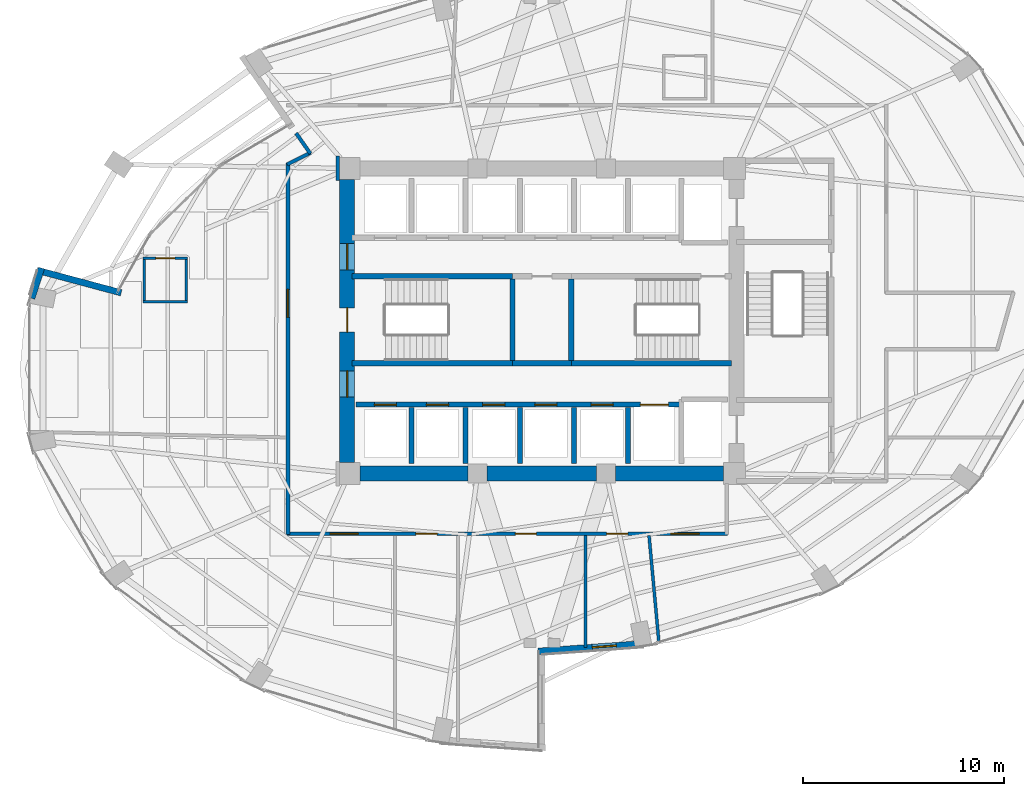
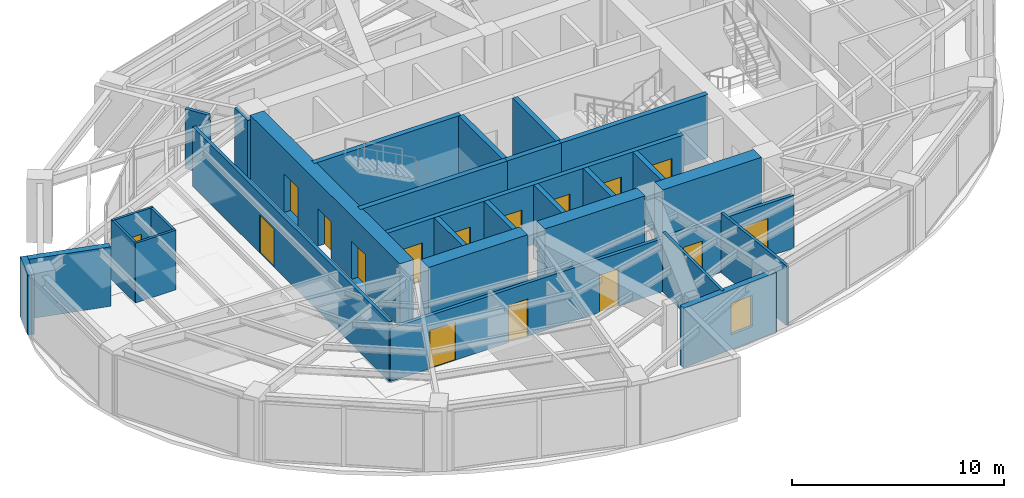
# One storey, part 20 of 24: 30 walls, 16 doors, 1 window, 17 openings.
"""IFC4 building model written with IfcOpenShell, lengths in metres."""

from ifc_helpers import new_model, si_unit, direction, frame, frame_2d, origin, place, context, subcontext, project, spatial, rectangle, extrude, material, layer, layer_set, type_object, element, fill, save


model = new_model("IFC4")

# Units and contexts
model_context = context("Model", 3, precision=1e-05, world=origin(), true_north=direction((0.0, 1.0)))
body_context = subcontext(model_context, "Body", "Model", "MODEL_VIEW")
ifc_project = project(units=[si_unit("LENGTHUNIT", "METRE"), si_unit("AREAUNIT", "SQUARE_METRE"), si_unit("VOLUMEUNIT", "CUBIC_METRE"), si_unit("PLANEANGLEUNIT", "RADIAN"), si_unit("MASSUNIT", "GRAM", prefix="KILO")], contexts=[model_context])

# Site, building, storey
site_placement = place(None, origin())
site = spatial("IfcSite", under=ifc_project, at=site_placement, CompositionType="ELEMENT")
building_placement = place(site_placement, origin())
building = spatial("IfcBuilding", under=site, at=building_placement, Name="Lazwardi Medical Tower", CompositionType="ELEMENT")
storey_placement = place(building_placement, frame((0.0, 0.0, 118.22412109375)))
storey = spatial("IfcBuildingStorey", under=building, at=storey_placement, Name="L30", CompositionType="ELEMENT", Elevation=118.22412109375)

# Wall, opening, door
ifc_material_1 = material(Name="Fire-rated gypsum board on steel stud", Category="steel")
ifc_layer_1 = layer(ifc_material_1, 0.179931640625)
ifc_layer_set_1 = layer_set([ifc_layer_1], Name="Fire-rated gypsum board on steel stud")
wall_type_1 = type_object("IfcWallType", Name="WL-COR-180", PredefinedType="PARTITIONING", material=ifc_layer_set_1)
wall_1_placement = place(storey_placement, frame((23.35009765625, 17.360107421875, 0.0), z_axis=(0.0, 0.0, 1.0), x_axis=(0.0, 1.0, 0.0)))
wall_1 = element("IfcWall", 1, at=wall_1_placement, inside=storey, type_object=wall_type_1, Name="L30 Corridor partition 1", PredefinedType="PARTITIONING", context=body_context, shape_type="SweptSolid", body=[
    extrude(rectangle(XDim=18.504638671875, YDim=0.179931640625, at=frame_2d((9.25244140625, 0.0))), origin(), (0.0, 0.0, 1.0), 3.427978515625),
])
opening_1_placement = place(wall_1_placement, frame((10.814208984375, 0.0, 0.0)))
opening_1 = element("IfcOpeningElement", 2, at=opening_1_placement, cuts=wall_1, Name="Opening D-L30-016", PredefinedType="OPENING", context=body_context, shape_type="SweptSolid", body=[
    extrude(rectangle(XDim=1.39990234375, YDim=2.199951171875, at=frame_2d((0.699951171875, 1.10009765625))), frame((0.0, 0.099853515625, 0.0), z_axis=(0.0, -1.0, 0.0), x_axis=(1.0, 0.0, 0.0)), (0.0, 0.0, 1.0), 0.199951171875),
])
ifc_material_2 = material(Name="Anti-microbial laminate hospital leaf")
door_type_1 = type_object("IfcDoorType", Name="DR-BED-1400", OperationType="NOTDEFINED", PredefinedType="DOOR", material=ifc_material_2)
door_1_placement = place(opening_1_placement, origin())
door_1 = element("IfcDoor", 3, at=door_1_placement, inside=storey, type_object=door_type_1, Name="L30 Inpatient Ward Door 09", OperationType="SINGLE_SWING_RIGHT", OverallHeight=2.199951171875, OverallWidth=1.39990234375, PredefinedType="DOOR", context=body_context, shape_type="SweptSolid", body=[
    extrude(rectangle(XDim=1.39990234375, YDim=2.199951171875, at=frame_2d((0.699951171875, 1.10009765625))), frame((0.0, 0.02490234375, 0.0), z_axis=(0.0, -1.0, 0.0), x_axis=(1.0, 0.0, 0.0)), (0.0, 0.0, 1.0), 0.050048828125),
])
fill(opening_1, door_1)

# Walls
wall_2_placement = place(storey_placement, frame((23.314208984375, 35.806884765625, 0.0), z_axis=(0.0, 0.0, 1.0), x_axis=(0.894202026902, 0.447663640565, 0.0)))
element("IfcWall", 4, at=wall_2_placement, inside=storey, type_object=wall_type_1, Name="L30 Corridor partition 2", PredefinedType="PARTITIONING", context=body_context, shape_type="SweptSolid", body=[
    extrude(rectangle(XDim=1.3017578125, YDim=0.179931640625, at=frame_2d((0.65087890625, 0.0))), origin(), (0.0, 0.0, 1.0), 3.11279296875),
])
wall_3_placement = place(storey_placement, frame((24.46533203125, 36.339111328125, 0.0), z_axis=(0.0, 0.0, 1.0), x_axis=(-0.573541599177, 0.819176436437, 0.0)))
element("IfcWall", 5, at=wall_3_placement, inside=storey, type_object=wall_type_1, Name="L30 Corridor partition 3", PredefinedType="PARTITIONING", context=body_context, shape_type="SweptSolid", body=[
    extrude(rectangle(XDim=1.240478515625, YDim=0.179931640625, at=frame_2d((0.6201171875, 0.0))), origin(), (0.0, 0.0, 1.0), 3.427978515625),
])
wall_4_placement = place(storey_placement, frame((25.830078125, 36.2099609375, 0.0), z_axis=(0.0, 0.0, 1.0), x_axis=(0.0, -1.0, 0.0)))
element("IfcWall", 6, at=wall_4_placement, inside=storey, type_object=wall_type_1, Name="L30 Corridor partition 11", PredefinedType="PARTITIONING", context=body_context, shape_type="SweptSolid", body=[
    extrude(rectangle(XDim=1.219970703125, YDim=0.179931640625, at=frame_2d((0.60986328125, 0.0))), origin(), (0.0, 0.0, 1.0), 3.427978515625),
])

# Wall, openings, doors
wall_5_placement = place(storey_placement, frame((45.239990234375, 17.39990234375, 0.0), z_axis=(0.0, 0.0, 1.0), x_axis=(-1.0, 0.0, 0.0)))
wall_5 = element("IfcWall", 7, at=wall_5_placement, inside=storey, type_object=wall_type_1, Name="L30 Corridor partition 14", PredefinedType="PARTITIONING", context=body_context, shape_type="SweptSolid", body=[
    extrude(rectangle(XDim=21.929931640625, YDim=0.179931640625, at=frame_2d((10.96484375, 0.0))), origin(), (0.0, 0.0, 1.0), 3.052978515625),
])
opening_2_placement = place(wall_5_placement, frame((18.39111328125, 0.0, 0.0)))
opening_2 = element("IfcOpeningElement", 8, at=opening_2_placement, cuts=wall_5, Name="Opening D-L30-008", PredefinedType="OPENING", context=body_context, shape_type="SweptSolid", body=[
    extrude(rectangle(XDim=1.39990234375, YDim=2.199951171875, at=frame_2d((0.699951171875, 1.10009765625))), frame((0.0, 0.099853515625, 0.0), z_axis=(0.0, -1.0, 0.0), x_axis=(1.0, 0.0, 0.0)), (0.0, 0.0, 1.0), 0.199951171875),
])
opening_3_placement = place(wall_5_placement, frame((14.465087890625, 0.0, 0.0)))
opening_3 = element("IfcOpeningElement", 9, at=opening_3_placement, cuts=wall_5, Name="Opening D-L30-009", PredefinedType="OPENING", context=body_context, shape_type="SweptSolid", body=[
    extrude(rectangle(XDim=1.050048828125, YDim=2.14990234375, at=frame_2d((0.52490234375, 1.074951171875))), frame((0.0, 0.099853515625, 0.0), z_axis=(0.0, -1.0, 0.0), x_axis=(1.0, 0.0, 0.0)), (0.0, 0.0, 1.0), 0.199951171875),
])
opening_4_placement = place(wall_5_placement, frame((9.514892578125, 0.0, 0.0)))
opening_4 = element("IfcOpeningElement", 10, at=opening_4_placement, cuts=wall_5, Name="Opening D-L30-010", PredefinedType="OPENING", context=body_context, shape_type="SweptSolid", body=[
    extrude(rectangle(XDim=1.050048828125, YDim=2.14990234375, at=frame_2d((0.52490234375, 1.074951171875))), frame((0.0, 0.099853515625, 0.0), z_axis=(0.0, -1.0, 0.0), x_axis=(1.0, 0.0, 0.0)), (0.0, 0.0, 1.0), 0.199951171875),
])
opening_5_placement = place(wall_5_placement, frame((4.96142578125, 0.0, 0.0)))
opening_5 = element("IfcOpeningElement", 11, at=opening_5_placement, cuts=wall_5, Name="Opening D-L30-011", PredefinedType="OPENING", context=body_context, shape_type="SweptSolid", body=[
    extrude(rectangle(XDim=1.050048828125, YDim=2.14990234375, at=frame_2d((0.52490234375, 1.074951171875))), frame((0.0, 0.099853515625, 0.0), z_axis=(0.0, -1.0, 0.0), x_axis=(1.0, 0.0, 0.0)), (0.0, 0.0, 1.0), 0.199951171875),
])
opening_6_placement = place(wall_5_placement, frame((1.41015625, 0.0, 0.0)))
opening_6 = element("IfcOpeningElement", 12, at=opening_6_placement, cuts=wall_5, Name="Opening D-L30-012", PredefinedType="OPENING", context=body_context, shape_type="SweptSolid", body=[
    extrude(rectangle(XDim=1.39990234375, YDim=2.199951171875, at=frame_2d((0.699951171875, 1.10009765625))), frame((0.0, 0.099853515625, 0.0), z_axis=(0.0, -1.0, 0.0), x_axis=(1.0, 0.0, 0.0)), (0.0, 0.0, 1.0), 0.199951171875),
])
door_2_placement = place(opening_2_placement, origin())
door_2 = element("IfcDoor", 13, at=door_2_placement, inside=storey, type_object=door_type_1, Name="L30 Sky Garden Lounge Door 01", OperationType="SINGLE_SWING_RIGHT", OverallHeight=2.199951171875, OverallWidth=1.39990234375, PredefinedType="DOOR", context=body_context, shape_type="SweptSolid", body=[
    extrude(rectangle(XDim=1.39990234375, YDim=2.199951171875, at=frame_2d((0.699951171875, 1.10009765625))), frame((0.0, 0.02490234375, 0.0), z_axis=(0.0, -1.0, 0.0), x_axis=(1.0, 0.0, 0.0)), (0.0, 0.0, 1.0), 0.050048828125),
])
fill(opening_2, door_2)
door_3_placement = place(opening_6_placement, origin())
door_3 = element("IfcDoor", 14, at=door_3_placement, inside=storey, type_object=door_type_1, Name="L30 Inpatient Ward Door 05", OperationType="SINGLE_SWING_RIGHT", OverallHeight=2.199951171875, OverallWidth=1.39990234375, PredefinedType="DOOR", context=body_context, shape_type="SweptSolid", body=[
    extrude(rectangle(XDim=1.39990234375, YDim=2.199951171875, at=frame_2d((0.699951171875, 1.10009765625))), frame((0.0, 0.02490234375, 0.0), z_axis=(0.0, -1.0, 0.0), x_axis=(1.0, 0.0, 0.0)), (0.0, 0.0, 1.0), 0.050048828125),
])
fill(opening_6, door_3)
door_type_2 = type_object("IfcDoorType", Name="DR-CLN-1050", OperationType="NOTDEFINED", PredefinedType="DOOR", material=ifc_material_2)
door_4_placement = place(opening_3_placement, origin())
door_4 = element("IfcDoor", 15, at=door_4_placement, inside=storey, type_object=door_type_2, Name="L30 Clinical Specialist Office Door 02", OperationType="SINGLE_SWING_LEFT", OverallHeight=2.14990234375, OverallWidth=1.050048828125, PredefinedType="DOOR", context=body_context, shape_type="SweptSolid", body=[
    extrude(rectangle(XDim=1.050048828125, YDim=2.14990234375, at=frame_2d((0.52490234375, 1.074951171875))), frame((0.0, 0.02490234375, 0.0), z_axis=(0.0, -1.0, 0.0), x_axis=(1.0, 0.0, 0.0)), (0.0, 0.0, 1.0), 0.050048828125),
])
fill(opening_3, door_4)
door_5_placement = place(opening_4_placement, origin())
door_5 = element("IfcDoor", 16, at=door_5_placement, inside=storey, type_object=door_type_2, Name="L30 Ward Dietetic Pantry Door 03", OperationType="SINGLE_SWING_RIGHT", OverallHeight=2.14990234375, OverallWidth=1.050048828125, PredefinedType="DOOR", context=body_context, shape_type="SweptSolid", body=[
    extrude(rectangle(XDim=1.050048828125, YDim=2.14990234375, at=frame_2d((0.52490234375, 1.074951171875))), frame((0.0, 0.02490234375, 0.0), z_axis=(0.0, -1.0, 0.0), x_axis=(1.0, 0.0, 0.0)), (0.0, 0.0, 1.0), 0.050048828125),
])
fill(opening_4, door_5)
door_6_placement = place(opening_5_placement, origin())
door_6 = element("IfcDoor", 17, at=door_6_placement, inside=storey, type_object=door_type_2, Name="L30 Medical Duty Staff Room Door 04", OperationType="SINGLE_SWING_LEFT", OverallHeight=2.14990234375, OverallWidth=1.050048828125, PredefinedType="DOOR", context=body_context, shape_type="SweptSolid", body=[
    extrude(rectangle(XDim=1.050048828125, YDim=2.14990234375, at=frame_2d((0.52490234375, 1.074951171875))), frame((0.0, 0.02490234375, 0.0), z_axis=(0.0, -1.0, 0.0), x_axis=(1.0, 0.0, 0.0)), (0.0, 0.0, 1.0), 0.050048828125),
])
fill(opening_5, door_6)

ifc_material_3 = material(Name="Concrete C70/85", Category="concrete")
ifc_layer_2 = layer(ifc_material_3, 0.75)
ifc_layer_set_2 = layer_set([ifc_layer_2], Name="Concrete C70/85")
wall_type_2 = type_object("IfcWallType", Name="WL-CORE-750", PredefinedType="SHEAR", material=ifc_layer_set_2)
wall_6_placement = place(storey_placement, frame((26.300048828125, 20.949951171875, 0.0), z_axis=(0.0, 0.0, 1.0), x_axis=(0.0, 1.0, 0.0)))
wall_6 = element("IfcWall", 18, at=wall_6_placement, inside=storey, type_object=wall_type_2, Name="Core wall CW-S2 west L30", PredefinedType="SHEAR", context=body_context, shape_type="SweptSolid", body=[
    extrude(rectangle(XDim=14.10009765625, YDim=0.75, at=frame_2d((7.050048828125, 0.0))), origin(), (0.0, 0.0, 1.0), 3.64794921875),
])
opening_7_placement = place(wall_6_placement, frame((6.5, 0.0, 0.0)))
opening_7 = element("IfcOpeningElement", 19, at=opening_7_placement, cuts=wall_6, Name="Opening D-L30-017", PredefinedType="OPENING", context=body_context, shape_type="SweptSolid", body=[
    extrude(rectangle(XDim=1.199951171875, YDim=2.14990234375, at=frame_2d((0.60009765625, 1.074951171875))), frame((0.0, 0.385009765625, 0.0), z_axis=(0.0, -1.0, 0.0), x_axis=(1.0, 0.0, 0.0)), (0.0, 0.0, 1.0), 0.77001953125),
])
opening_8_placement = place(wall_6_placement, frame((9.60009765625, 0.0, 0.0)))
opening_8 = element("IfcOpeningElement", 20, at=opening_8_placement, cuts=wall_6, Name="Opening D-L30-006", PredefinedType="OPENING", context=body_context, shape_type="SweptSolid", body=[
    extrude(rectangle(XDim=1.300048828125, YDim=2.199951171875, at=frame_2d((0.64990234375, 1.10009765625))), frame((0.0, 0.385009765625, 0.0), z_axis=(0.0, -1.0, 0.0), x_axis=(1.0, 0.0, 0.0)), (0.0, 0.0, 1.0), 0.77001953125),
])
opening_9_placement = place(wall_6_placement, frame((3.260009765625, 0.0, 0.0)))
opening_9 = element("IfcOpeningElement", 21, at=opening_9_placement, cuts=wall_6, Name="Opening D-L30-007", PredefinedType="OPENING", context=body_context, shape_type="SweptSolid", body=[
    extrude(rectangle(XDim=1.300048828125, YDim=2.199951171875, at=frame_2d((0.64990234375, 1.10009765625))), frame((0.0, 0.385009765625, 0.0), z_axis=(0.0, -1.0, 0.0), x_axis=(1.0, 0.0, 0.0)), (0.0, 0.0, 1.0), 0.77001953125),
])
ifc_material_4 = material(Name="Fire-rated steel leaf and frame", Category="steel")
door_type_3 = type_object("IfcDoorType", Name="DR-FFL-1300", OperationType="NOTDEFINED", PredefinedType="DOOR", material=ifc_material_4)
door_7_placement = place(opening_8_placement, origin())
door_7 = element("IfcDoor", 22, at=door_7_placement, inside=storey, type_object=door_type_3, Name="L30 North Lift Lobby Door", OperationType="SINGLE_SWING_LEFT", OverallHeight=2.199951171875, OverallWidth=1.300048828125, PredefinedType="DOOR", context=body_context, shape_type="SweptSolid", body=[
    extrude(rectangle(XDim=1.300048828125, YDim=2.199951171875, at=frame_2d((0.64990234375, 1.10009765625))), frame((0.0, 0.02490234375, 0.0), z_axis=(0.0, -1.0, 0.0), x_axis=(1.0, 0.0, 0.0)), (0.0, 0.0, 1.0), 0.050048828125),
])
fill(opening_8, door_7)
door_8_placement = place(opening_9_placement, origin())
door_8 = element("IfcDoor", 23, at=door_8_placement, inside=storey, type_object=door_type_3, Name="L30 South Lift Lobby Door", OperationType="SINGLE_SWING_RIGHT", OverallHeight=2.199951171875, OverallWidth=1.300048828125, PredefinedType="DOOR", context=body_context, shape_type="SweptSolid", body=[
    extrude(rectangle(XDim=1.300048828125, YDim=2.199951171875, at=frame_2d((0.64990234375, 1.10009765625))), frame((0.0, 0.02490234375, 0.0), z_axis=(0.0, -1.0, 0.0), x_axis=(1.0, 0.0, 0.0)), (0.0, 0.0, 1.0), 0.050048828125),
])
fill(opening_9, door_8)
door_type_4 = type_object("IfcDoorType", Name="DR-STR-1200", OperationType="NOTDEFINED", PredefinedType="DOOR", material=ifc_material_4)
door_9_placement = place(opening_7_placement, origin())
door_9 = element("IfcDoor", 24, at=door_9_placement, inside=storey, type_object=door_type_4, Name="L30 Exit Stair ST1 Door", OperationType="SINGLE_SWING_RIGHT", OverallHeight=2.14990234375, OverallWidth=1.199951171875, PredefinedType="DOOR", context=body_context, shape_type="SweptSolid", body=[
    extrude(rectangle(XDim=1.199951171875, YDim=2.14990234375, at=frame_2d((0.60009765625, 1.074951171875))), frame((0.0, 0.02490234375, 0.0), z_axis=(0.0, -1.0, 0.0), x_axis=(1.0, 0.0, 0.0)), (0.0, 0.0, 1.0), 0.050048828125),
])
fill(opening_7, door_9)

# Walls
wall_7_placement = place(storey_placement, frame((26.949951171875, 20.39990234375, 0.0), z_axis=(0.0, 0.0, 1.0), x_axis=(1.0, 0.0, 0.0)))
element("IfcWall", 25, at=wall_7_placement, inside=storey, type_object=wall_type_2, Name="Core wall CW-S2 S1 L30", PredefinedType="SHEAR", context=body_context, shape_type="SweptSolid", body=[
    extrude(rectangle(XDim=5.375, YDim=0.75, at=frame_2d((2.6875, 0.0))), origin(), (0.0, 0.0, 1.0), 3.64794921875),
])
wall_8_placement = place(storey_placement, frame((33.27490234375, 20.39990234375, 0.0), z_axis=(0.0, 0.0, 1.0), x_axis=(1.0, 0.0, 0.0)))
element("IfcWall", 26, at=wall_8_placement, inside=storey, type_object=wall_type_2, Name="Core wall CW-S2 S2 L30", PredefinedType="SHEAR", context=body_context, shape_type="SweptSolid", body=[
    extrude(rectangle(XDim=5.4501953125, YDim=0.75, at=frame_2d((2.72509765625, 0.0))), origin(), (0.0, 0.0, 1.0), 3.64794921875),
])
wall_9_placement = place(storey_placement, frame((39.675048828125, 20.39990234375, 0.0), z_axis=(0.0, 0.0, 1.0), x_axis=(1.0, 0.0, 0.0)))
element("IfcWall", 27, at=wall_9_placement, inside=storey, type_object=wall_type_2, Name="Core wall CW-S2 S3 L30", PredefinedType="SHEAR", context=body_context, shape_type="SweptSolid", body=[
    extrude(rectangle(XDim=5.375, YDim=0.75, at=frame_2d((2.6875, 0.0))), origin(), (0.0, 0.0, 1.0), 3.64794921875),
])

# Wall, opening, door
ifc_material_5 = material(Name="Moisture-resistant gypsum board partition")
ifc_layer_3 = layer(ifc_material_5, 0.125)
ifc_layer_set_3 = layer_set([ifc_layer_3], Name="Moisture-resistant gypsum board partition")
wall_type_3 = type_object("IfcWallType", Name="WL-ENS-125", PredefinedType="PARTITIONING", material=ifc_layer_set_3)
wall_10_placement = place(storey_placement, frame((16.130615234375, 31.12841796875, 0.0), z_axis=(0.0, 0.0, 1.0), x_axis=(1.0, 0.0, 0.0)))
wall_10 = element("IfcWall", 28, at=wall_10_placement, inside=storey, type_object=wall_type_3, Name="L30 En-suite wall 9N", PredefinedType="PARTITIONING", context=body_context, shape_type="SweptSolid", body=[
    extrude(rectangle(XDim=2.219970703125, YDim=0.125, at=frame_2d((1.10986328125, 0.0))), origin(), (0.0, 0.0, 1.0), 3.427978515625),
])
opening_10_placement = place(wall_10_placement, frame((0.635009765625, 0.0, 0.0)))
opening_10 = element("IfcOpeningElement", 29, at=opening_10_placement, cuts=wall_10, Name="Opening D-L30-003", PredefinedType="OPENING", context=body_context, shape_type="SweptSolid", body=[
    extrude(rectangle(XDim=0.949951171875, YDim=2.10009765625, at=frame_2d((0.47509765625, 1.050048828125))), frame((0.0, 0.072509765625, 0.0), z_axis=(0.0, -1.0, 0.0), x_axis=(1.0, 0.0, 0.0)), (0.0, 0.0, 1.0), 0.14501953125),
])
ifc_material_6 = material(Name="Moisture-resistant laminate door leaf")
door_type_5 = type_object("IfcDoorType", Name="DR-ENS-950", OperationType="NOTDEFINED", PredefinedType="DOOR", material=ifc_material_6)
door_10_placement = place(opening_10_placement, origin())
door_10 = element("IfcDoor", 30, at=door_10_placement, inside=storey, type_object=door_type_5, Name="L30 En-suite Door 09", OperationType="SINGLE_SWING_LEFT", OverallHeight=2.10009765625, OverallWidth=0.949951171875, PredefinedType="DOOR", context=body_context, shape_type="SweptSolid", body=[
    extrude(rectangle(XDim=0.949951171875, YDim=2.10009765625, at=frame_2d((0.47509765625, 1.050048828125))), frame((0.0, 0.02490234375, 0.0), z_axis=(0.0, -1.0, 0.0), x_axis=(1.0, 0.0, 0.0)), (0.0, 0.0, 1.0), 0.050048828125),
])
fill(opening_10, door_10)

# Walls
wall_11_placement = place(storey_placement, frame((16.130615234375, 28.968505859375, 0.0), z_axis=(0.0, 0.0, 1.0), x_axis=(1.0, 0.0, 0.0)))
element("IfcWall", 31, at=wall_11_placement, inside=storey, type_object=wall_type_3, Name="L30 En-suite wall 9S", PredefinedType="PARTITIONING", context=body_context, shape_type="SweptSolid", body=[
    extrude(rectangle(XDim=2.219970703125, YDim=0.125, at=frame_2d((1.10986328125, 0.0))), origin(), (0.0, 0.0, 1.0), 3.427978515625),
])
for number, where, z_axis, x_axis, name in (
    (32, (18.290771484375, 28.908447265625, 0.0), (0.0, 0.0, 1.0), (0.0, 1.0, 0.0), "L30 En-suite wall 9E"),
    (33, (16.190673828125, 28.908447265625, 0.0), (0.0, 0.0, 1.0), (0.0, 1.0, 0.0), "L30 En-suite wall 9W"),
):
    element("IfcWall", number, at=place(storey_placement, frame(where, z_axis=z_axis, x_axis=x_axis)), inside=storey, type_object=wall_type_3, Name=name, PredefinedType="PARTITIONING", context=body_context, shape_type="SweptSolid", body=[
        extrude(rectangle(XDim=2.280029296875, YDim=0.125, at=frame_2d((1.14013671875, 0.0))), origin(), (0.0, 0.0, 1.0), 3.427978515625),
    ])

# Wall, opening, window
ifc_material_7 = material(Name="Precast concrete C45/55", Category="concrete")
ifc_layer_4 = layer(ifc_material_7, 0.320068359375)
ifc_layer_set_4 = layer_set([ifc_layer_4], Name="Precast concrete C45/55")
wall_type_4 = type_object("IfcWallType", Name="WL-IWAN-320", PredefinedType="SOLIDWALL", material=ifc_layer_set_4)
wall_12_placement = place(storey_placement, frame((35.820556640625, 11.547119140625, 0.0), z_axis=(0.0, 0.0, 1.0), x_axis=(0.997432364291, 0.071614793619, 0.0)))
wall_12 = element("IfcWall", 34, at=wall_12_placement, inside=storey, type_object=wall_type_4, Name="L30 Iwan Portal Return Wall SE_ret", PredefinedType="SOLIDWALL", context=body_context, shape_type="SweptSolid", body=[
    extrude(rectangle(XDim=5.2841796875, YDim=0.320068359375, at=frame_2d((2.64208984375, 0.0))), origin(), (0.0, 0.0, 1.0), 3.427978515625),
])
opening_11_placement = place(wall_12_placement, frame((2.696533203125, 0.0, 0.85009765625)))
opening_11 = element("IfcOpeningElement", 35, at=opening_11_placement, cuts=wall_12, Name="Opening WN-04", PredefinedType="OPENING", context=body_context, shape_type="SweptSolid", body=[
    extrude(rectangle(XDim=1.199951171875, YDim=1.800048828125, at=frame_2d((0.60009765625, 0.89990234375))), frame((0.0, 0.169921875, 0.0), z_axis=(0.0, -1.0, 0.0), x_axis=(1.0, 0.0, 0.0)), (0.0, 0.0, 1.0), 0.340087890625),
])
ifc_material_8 = material(Name="Low-e bronze solar control double glazing", Category="glass")
window_type = type_object("IfcWindowType", Name="WIN-DRUM-1200", PartitioningType="SINGLE_PANEL", PredefinedType="WINDOW", material=ifc_material_8)
window_placement = place(opening_11_placement, origin())
window = element("IfcWindow", 36, at=window_placement, inside=storey, type_object=window_type, Name="L30 Iwan Slot Window SE_ret", OverallHeight=1.800048828125, OverallWidth=1.199951171875, PartitioningType="SINGLE_PANEL", PredefinedType="WINDOW", context=body_context, shape_type="SweptSolid", body=[
    extrude(rectangle(XDim=1.199951171875, YDim=1.800048828125, at=frame_2d((0.60009765625, 0.89990234375))), frame((0.0, 0.030029296875, 0.0), z_axis=(0.0, -1.0, 0.0), x_axis=(1.0, 0.0, 0.0)), (0.0, 0.0, 1.0), 0.06005859375),
])
fill(opening_11, window)

# Walls
wall_13_placement = place(storey_placement, frame((10.847412109375, 30.52783203125, 0.0), z_axis=(0.0, 0.0, 1.0), x_axis=(0.965921433008, -0.258835440493, 0.0)))
element("IfcWall", 37, at=wall_13_placement, inside=storey, type_object=wall_type_4, Name="L30 Sky Garden SG2 Flank Wall S1", PredefinedType="SOLIDWALL", context=body_context, shape_type="SweptSolid", body=[
    extrude(rectangle(XDim=4.33984375, YDim=0.320068359375, at=frame_2d((2.169921875, 0.0))), origin(), (0.0, 0.0, 1.0), 3.427978515625),
])
wall_14_placement = place(storey_placement, frame((11.06982421875, 30.6337890625, 0.0), z_axis=(0.0, 0.0, 1.0), x_axis=(-0.304490127284, -0.95251549194, 0.0)))
element("IfcWall", 38, at=wall_14_placement, inside=storey, type_object=wall_type_4, Name="L30 Sky Garden SG2 Jamb Return Wall", PredefinedType="SOLIDWALL", context=body_context, shape_type="SweptSolid", body=[
    extrude(rectangle(XDim=1.58203125, YDim=0.320068359375, at=frame_2d((0.791015625, 0.0))), origin(), (0.0, 0.0, 1.0), 3.427978515625),
])

# Wall, openings, doors
ifc_material_9 = material(Name="Autoclaved aerated concrete blockwork", Category="masonry")
ifc_layer_5 = layer(ifc_material_9, 0.25)
ifc_layer_set_5 = layer_set([ifc_layer_5], Name="Autoclaved aerated concrete blockwork")
wall_type_5 = type_object("IfcWallType", Name="WL-SHAFT-250", PredefinedType="SOLIDWALL", material=ifc_layer_set_5)
wall_15_placement = place(storey_placement, frame((26.75, 23.830078125, 0.0), z_axis=(0.0, 0.0, 1.0), x_axis=(1.0, 0.0, 0.0)))
wall_15 = element("IfcWall", 39, at=wall_15_placement, inside=storey, type_object=wall_type_5, Name="L30 South lift bank front wall", PredefinedType="SOLIDWALL", context=body_context, shape_type="SweptSolid", body=[
    extrude(rectangle(XDim=16.199951171875, YDim=0.25, at=frame_2d((8.10009765625, 0.0))), origin(), (0.0, 0.0, 1.0), 3.427978515625),
])
opening_12_placement = place(wall_15_placement, frame((0.89990234375, 0.0, 0.0)))
opening_12 = element("IfcOpeningElement", 40, at=opening_12_placement, cuts=wall_15, Name="Opening LD-L30-006", PredefinedType="OPENING", context=body_context, shape_type="SweptSolid", body=[
    extrude(rectangle(XDim=1.10009765625, YDim=2.199951171875, at=frame_2d((0.550048828125, 1.10009765625))), frame((0.0, 0.135009765625, 0.0), z_axis=(0.0, -1.0, 0.0), x_axis=(1.0, 0.0, 0.0)), (0.0, 0.0, 1.0), 0.27001953125),
])
opening_13_placement = place(wall_15_placement, frame((3.5, 0.0, 0.0)))
opening_13 = element("IfcOpeningElement", 41, at=opening_13_placement, cuts=wall_15, Name="Opening LD-L30-007", PredefinedType="OPENING", context=body_context, shape_type="SweptSolid", body=[
    extrude(rectangle(XDim=1.10009765625, YDim=2.199951171875, at=frame_2d((0.550048828125, 1.10009765625))), frame((0.0, 0.135009765625, 0.0), z_axis=(0.0, -1.0, 0.0), x_axis=(1.0, 0.0, 0.0)), (0.0, 0.0, 1.0), 0.27001953125),
])
opening_14_placement = place(wall_15_placement, frame((6.300048828125, 0.0, 0.0)))
opening_14 = element("IfcOpeningElement", 42, at=opening_14_placement, cuts=wall_15, Name="Opening LD-L30-010", PredefinedType="OPENING", context=body_context, shape_type="SweptSolid", body=[
    extrude(rectangle(XDim=1.10009765625, YDim=2.199951171875, at=frame_2d((0.550048828125, 1.10009765625))), frame((0.0, 0.135009765625, 0.0), z_axis=(0.0, -1.0, 0.0), x_axis=(1.0, 0.0, 0.0)), (0.0, 0.0, 1.0), 0.27001953125),
])
opening_15_placement = place(wall_15_placement, frame((8.89990234375, 0.0, 0.0)))
opening_15 = element("IfcOpeningElement", 43, at=opening_15_placement, cuts=wall_15, Name="Opening LD-L30-011", PredefinedType="OPENING", context=body_context, shape_type="SweptSolid", body=[
    extrude(rectangle(XDim=1.10009765625, YDim=2.199951171875, at=frame_2d((0.550048828125, 1.10009765625))), frame((0.0, 0.135009765625, 0.0), z_axis=(0.0, -1.0, 0.0), x_axis=(1.0, 0.0, 0.0)), (0.0, 0.0, 1.0), 0.27001953125),
])
opening_16_placement = place(wall_15_placement, frame((11.699951171875, 0.0, 0.0)))
opening_16 = element("IfcOpeningElement", 44, at=opening_16_placement, cuts=wall_15, Name="Opening LD-L30-014", PredefinedType="OPENING", context=body_context, shape_type="SweptSolid", body=[
    extrude(rectangle(XDim=1.10009765625, YDim=2.199951171875, at=frame_2d((0.550048828125, 1.10009765625))), frame((0.0, 0.135009765625, 0.0), z_axis=(0.0, -1.0, 0.0), x_axis=(1.0, 0.0, 0.0)), (0.0, 0.0, 1.0), 0.27001953125),
])
opening_17_placement = place(wall_15_placement, frame((14.14990234375, 0.0, 0.0)))
opening_17 = element("IfcOpeningElement", 45, at=opening_17_placement, cuts=wall_15, Name="Opening LD-L30-003", PredefinedType="OPENING", context=body_context, shape_type="SweptSolid", body=[
    extrude(rectangle(XDim=1.39990234375, YDim=2.300048828125, at=frame_2d((0.699951171875, 1.14990234375))), frame((0.0, 0.135009765625, 0.0), z_axis=(0.0, -1.0, 0.0), x_axis=(1.0, 0.0, 0.0)), (0.0, 0.0, 1.0), 0.27001953125),
])
ifc_material_10 = material(Name="Brushed bronze stainless steel landing door", Category="steel")
door_type_6 = type_object("IfcDoorType", Name="DR-LFT-1100", OperationType="NOTDEFINED", PredefinedType="DOOR", material=ifc_material_10)
door_11_placement = place(opening_12_placement, origin())
door_11 = element("IfcDoor", 46, at=door_11_placement, inside=storey, type_object=door_type_6, Name="L30 Lift Landing Door PL-03", OperationType="SLIDING_TO_LEFT", OverallHeight=2.199951171875, OverallWidth=1.10009765625, PredefinedType="DOOR", context=body_context, shape_type="SweptSolid", body=[
    extrude(rectangle(XDim=1.10009765625, YDim=2.199951171875, at=frame_2d((0.550048828125, 1.10009765625))), frame((0.0, 0.02490234375, 0.0), z_axis=(0.0, -1.0, 0.0), x_axis=(1.0, 0.0, 0.0)), (0.0, 0.0, 1.0), 0.050048828125),
])
fill(opening_12, door_11)
door_12_placement = place(opening_13_placement, origin())
door_12 = element("IfcDoor", 47, at=door_12_placement, inside=storey, type_object=door_type_6, Name="L30 Lift Landing Door PL-04", OperationType="SLIDING_TO_LEFT", OverallHeight=2.199951171875, OverallWidth=1.10009765625, PredefinedType="DOOR", context=body_context, shape_type="SweptSolid", body=[
    extrude(rectangle(XDim=1.10009765625, YDim=2.199951171875, at=frame_2d((0.550048828125, 1.10009765625))), frame((0.0, 0.02490234375, 0.0), z_axis=(0.0, -1.0, 0.0), x_axis=(1.0, 0.0, 0.0)), (0.0, 0.0, 1.0), 0.050048828125),
])
fill(opening_13, door_12)
door_13_placement = place(opening_14_placement, origin())
door_13 = element("IfcDoor", 48, at=door_13_placement, inside=storey, type_object=door_type_6, Name="L30 Lift Landing Door PL-07", OperationType="SLIDING_TO_LEFT", OverallHeight=2.199951171875, OverallWidth=1.10009765625, PredefinedType="DOOR", context=body_context, shape_type="SweptSolid", body=[
    extrude(rectangle(XDim=1.10009765625, YDim=2.199951171875, at=frame_2d((0.550048828125, 1.10009765625))), frame((0.0, 0.02490234375, 0.0), z_axis=(0.0, -1.0, 0.0), x_axis=(1.0, 0.0, 0.0)), (0.0, 0.0, 1.0), 0.050048828125),
])
fill(opening_14, door_13)
door_14_placement = place(opening_15_placement, origin())
door_14 = element("IfcDoor", 49, at=door_14_placement, inside=storey, type_object=door_type_6, Name="L30 Lift Landing Door PL-08", OperationType="SLIDING_TO_LEFT", OverallHeight=2.199951171875, OverallWidth=1.10009765625, PredefinedType="DOOR", context=body_context, shape_type="SweptSolid", body=[
    extrude(rectangle(XDim=1.10009765625, YDim=2.199951171875, at=frame_2d((0.550048828125, 1.10009765625))), frame((0.0, 0.02490234375, 0.0), z_axis=(0.0, -1.0, 0.0), x_axis=(1.0, 0.0, 0.0)), (0.0, 0.0, 1.0), 0.050048828125),
])
fill(opening_15, door_14)
door_15_placement = place(opening_16_placement, origin())
door_15 = element("IfcDoor", 50, at=door_15_placement, inside=storey, type_object=door_type_6, Name="L30 Lift Landing Door PL-11", OperationType="SLIDING_TO_LEFT", OverallHeight=2.199951171875, OverallWidth=1.10009765625, PredefinedType="DOOR", context=body_context, shape_type="SweptSolid", body=[
    extrude(rectangle(XDim=1.10009765625, YDim=2.199951171875, at=frame_2d((0.550048828125, 1.10009765625))), frame((0.0, 0.02490234375, 0.0), z_axis=(0.0, -1.0, 0.0), x_axis=(1.0, 0.0, 0.0)), (0.0, 0.0, 1.0), 0.050048828125),
])
fill(opening_16, door_15)
ifc_material_11 = material(Name="Brushed stainless steel bed-lift landing door", Category="steel")
door_type_7 = type_object("IfcDoorType", Name="DR-LFT-1400", OperationType="NOTDEFINED", PredefinedType="DOOR", material=ifc_material_11)
door_16_placement = place(opening_17_placement, origin())
door_16 = element("IfcDoor", 51, at=door_16_placement, inside=storey, type_object=door_type_7, Name="L30 Lift Landing Door FL-03", OperationType="SLIDING_TO_LEFT", OverallHeight=2.300048828125, OverallWidth=1.39990234375, PredefinedType="DOOR", context=body_context, shape_type="SweptSolid", body=[
    extrude(rectangle(XDim=1.39990234375, YDim=2.300048828125, at=frame_2d((0.699951171875, 1.14990234375))), frame((0.0, 0.02490234375, 0.0), z_axis=(0.0, -1.0, 0.0), x_axis=(1.0, 0.0, 0.0)), (0.0, 0.0, 1.0), 0.050048828125),
])
fill(opening_17, door_16)

# Walls
for number, where, z_axis, x_axis, name in (
    (52, (29.5, 20.89990234375, 0.0), (0.0, 0.0, 1.0), (0.0, 1.0, 0.0), "L30 South hoistway divider"),
    (53, (32.199951171875, 20.89990234375, 0.0), (0.0, 0.0, 1.0), (0.0, 1.0, 0.0), "L30 South hoistway divider"),
    (54, (34.89990234375, 20.89990234375, 0.0), (0.0, 0.0, 1.0), (0.0, 1.0, 0.0), "L30 South hoistway divider"),
    (55, (37.60009765625, 20.89990234375, 0.0), (0.0, 0.0, 1.0), (0.0, 1.0, 0.0), "L30 South hoistway divider"),
    (56, (40.300048828125, 20.89990234375, 0.0), (0.0, 0.0, 1.0), (0.0, 1.0, 0.0), "L30 South hoistway divider"),
):
    element("IfcWall", number, at=place(storey_placement, frame(where, z_axis=z_axis, x_axis=x_axis)), inside=storey, type_object=wall_type_5, Name=name, PredefinedType="SOLIDWALL", context=body_context, shape_type="SweptSolid", body=[
        extrude(rectangle(XDim=2.800048828125, YDim=0.25, at=frame_2d((1.39990234375, 0.0))), origin(), (0.0, 0.0, 1.0), 3.427978515625),
    ])
ifc_material_12 = material(Name="Concrete C50/60", Category="concrete")
ifc_layer_6 = layer(ifc_material_12, 0.27001953125)
ifc_layer_set_6 = layer_set([ifc_layer_6], Name="Concrete C50/60")
wall_type_6 = type_object("IfcWallType", Name="WL-STR-250", PredefinedType="SHEAR", material=ifc_layer_set_6)
for number, where, z_axis, x_axis, name in (
    (57, (26.550048828125, 30.235107421875, 0.0), (0.0, 0.0, 1.0), (1.0, 0.0, 0.0), "L30 ST1 North shear shaft wall SW-S1"),
    (58, (26.550048828125, 25.885009765625, 0.0), (0.0, 0.0, 1.0), (1.0, 0.0, 0.0), "L30 ST1 South shear shaft wall SW-S1"),
):
    element("IfcWall", number, at=place(storey_placement, frame(where, z_axis=z_axis, x_axis=x_axis)), inside=storey, type_object=wall_type_6, Name=name, PredefinedType="SHEAR", context=body_context, shape_type="SweptSolid", body=[
        extrude(rectangle(XDim=7.98486328125, YDim=0.27001953125, at=frame_2d((3.992431640625, 0.0))), origin(), (0.0, 0.0, 1.0), 3.64794921875),
    ])
wall_16_placement = place(storey_placement, frame((34.534912109375, 25.885009765625, 0.0), z_axis=(0.0, 0.0, 1.0), x_axis=(1.0, 0.0, 0.0)))
element("IfcWall", 59, at=wall_16_placement, inside=storey, type_object=wall_type_6, Name="L30 Core service South shear wall SW-S1", PredefinedType="SHEAR", context=body_context, shape_type="SweptSolid", body=[
    extrude(rectangle(XDim=2.93017578125, YDim=0.27001953125, at=frame_2d((1.465087890625, 0.0))), origin(), (0.0, 0.0, 1.0), 3.64794921875),
])
wall_17_placement = place(storey_placement, frame((37.465087890625, 25.885009765625, 0.0), z_axis=(0.0, 0.0, 1.0), x_axis=(1.0, 0.0, 0.0)))
element("IfcWall", 60, at=wall_17_placement, inside=storey, type_object=wall_type_6, Name="L30 ST2 South shear shaft wall SW-S1", PredefinedType="SHEAR", context=body_context, shape_type="SweptSolid", body=[
    extrude(rectangle(XDim=7.98486328125, YDim=0.27001953125, at=frame_2d((3.992431640625, 0.0))), origin(), (0.0, 0.0, 1.0), 3.64794921875),
])
for number, where, z_axis, x_axis, name in (
    (61, (34.534912109375, 26.02001953125, 0.0), (0.0, 0.0, 1.0), (0.0, 1.0, 0.0), "L30 ST1 East shear shaft wall SW-S1"),
    (62, (37.465087890625, 26.02001953125, 0.0), (0.0, 0.0, 1.0), (0.0, 1.0, 0.0), "L30 ST2 West shear shaft wall SW-S1"),
):
    element("IfcWall", number, at=place(storey_placement, frame(where, z_axis=z_axis, x_axis=x_axis)), inside=storey, type_object=wall_type_6, Name=name, PredefinedType="SHEAR", context=body_context, shape_type="SweptSolid", body=[
        extrude(rectangle(XDim=4.080078125, YDim=0.27001953125, at=frame_2d((2.0400390625, 0.0))), origin(), (0.0, 0.0, 1.0), 3.64794921875),
    ])
ifc_material_13 = material(Name="Acoustic gypsum board partition")
ifc_layer_7 = layer(ifc_material_13, 0.14990234375)
ifc_layer_set_7 = layer_set([ifc_layer_7], Name="Acoustic gypsum board partition")
wall_type_7 = type_object("IfcWallType", Name="WL-WRD-150", PredefinedType="PARTITIONING", material=ifc_layer_set_7)
wall_18_placement = place(storey_placement, frame((38.169921875, 11.7265625, 0.0), z_axis=(0.0, 0.0, 1.0), x_axis=(0.0, 1.0, 0.0)))
element("IfcWall", 63, at=wall_18_placement, inside=storey, type_object=wall_type_7, Name="L30 Room partition 7", PredefinedType="PARTITIONING", context=body_context, shape_type="SweptSolid", body=[
    extrude(rectangle(XDim=5.58349609375, YDim=0.14990234375, at=frame_2d((2.791748046875, 0.0))), origin(), (0.0, 0.0, 1.0), 3.427978515625),
])
wall_19_placement = place(storey_placement, frame((41.82861328125, 11.99462890625, 0.0), z_axis=(0.0, 0.0, 1.0), x_axis=(-0.092106681554, 0.995749144721, 0.0)))
element("IfcWall", 64, at=wall_19_placement, inside=storey, type_object=wall_type_7, Name="L30 Room partition 8", PredefinedType="PARTITIONING", context=body_context, shape_type="SweptSolid", body=[
    extrude(rectangle(XDim=5.33837890625, YDim=0.14990234375, at=frame_2d((2.669189453125, 0.0))), origin(), (0.0, 0.0, 1.0), 3.427978515625),
])

save(model, "model.ifc")
